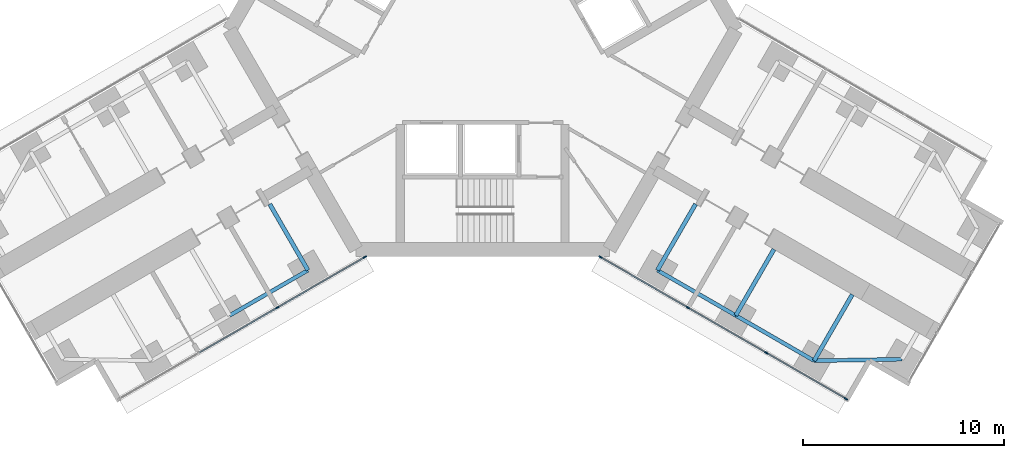
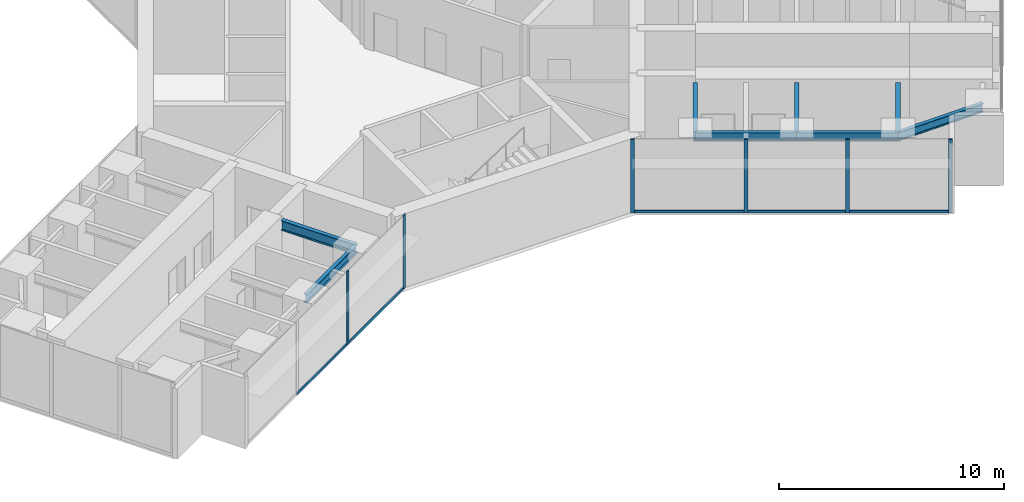
# One storey, part 9 of 22: 11 members, 8 beams, 2 elements without a shape of their own.
"""IFC4 building model written with IfcOpenShell, lengths in metres."""

from ifc_helpers import new_model, si_unit, direction, frame, origin, origin_2d, place, context, subcontext, project, spatial, rectangle, i_section, extrude, material, material_profile, profile_set, type_object, element, aggregate, save


model = new_model("IFC4")

# Units and contexts
model_context = context("Model", 3, precision=1e-05, world=origin(), true_north=direction((0.0, 1.0)))
body_context = subcontext(model_context, "Body", "Model", "MODEL_VIEW")
ifc_project = project(units=[si_unit("LENGTHUNIT", "METRE"), si_unit("AREAUNIT", "SQUARE_METRE"), si_unit("VOLUMEUNIT", "CUBIC_METRE"), si_unit("PLANEANGLEUNIT", "RADIAN"), si_unit("MASSUNIT", "GRAM", prefix="KILO")], contexts=[model_context])

# Site, building, storey
site_placement = place(None, origin())
site = spatial("IfcSite", under=ifc_project, at=site_placement, CompositionType="ELEMENT")
building_placement = place(site_placement, origin())
building = spatial("IfcBuilding", under=site, at=building_placement, Name="Upepo Twin Towers", CompositionType="ELEMENT")
storey_placement = place(building_placement, frame((0.0, 0.0, 40.5)))
storey = spatial("IfcBuildingStorey", under=building, at=storey_placement, Name="L09", CompositionType="ELEMENT", Elevation=40.5)

# Beams
ifc_material_1 = material(Name="Steel S355", Category="steel")
ifc_material_profile_1 = material_profile(ifc_material_1, i_section(OverallWidth=0.1904296875, OverallDepth=0.45703125, WebThickness=0.009033203125, FlangeThickness=0.014404296875, FilletRadius=0.01025390625, at=origin_2d()), Name="UB 457x191x74")
ifc_profile_set_1 = profile_set([ifc_material_profile_1], Name="Steel S355")
beam_type_1 = type_object("IfcBeamType", Name="Beam UB 457x191x74", PredefinedType="BEAM", material=ifc_profile_set_1)
for number, where, z_axis, x_axis, name in (
    (1, (49.80859375, -29.946044921875, 3.571533203125), (-0.866017533419, -0.500013631625, 0.0), (0.500013631625, -0.866017533419, 0.0), "T2 edge beam BL 13.5-18.0"),
    (2, (67.19140625, -29.946044921875, 3.571533203125), (0.866017533419, -0.500013631625, 0.0), (0.500013631625, 0.866017533419, 0.0), "T2 edge beam CR 13.5-18.0"),
):
    element("IfcBeam", number, at=place(storey_placement, frame(where, z_axis=z_axis, x_axis=x_axis)), inside=storey, type_object=beam_type_1, Name=name, PredefinedType="BEAM", context=body_context, shape_type="SweptSolid", body=[
        extrude(i_section(OverallWidth=0.1904296875, OverallDepth=0.45703125, WebThickness=0.009033203125, FlangeThickness=0.014404296875, FilletRadius=0.01025390625, at=origin_2d()), origin(), (0.0, 0.0, 1.0), 4.499755859375),
    ])
beam_1_placement = place(storey_placement, frame((71.08837890625, -32.196044921875, 3.571533203125), z_axis=(0.866031096941, -0.499990139034, 0.0), x_axis=(0.499990139034, 0.866031096941, 0.0)))
element("IfcBeam", 3, at=beam_1_placement, inside=storey, type_object=beam_type_1, Name="T2 edge beam CR 18.0-22.5", PredefinedType="BEAM", context=body_context, shape_type="SweptSolid", body=[
    extrude(i_section(OverallWidth=0.1904296875, OverallDepth=0.45703125, WebThickness=0.009033203125, FlangeThickness=0.014404296875, FilletRadius=0.01025390625, at=origin_2d()), origin(), (0.0, 0.0, 1.0), 4.5),
])
beam_2_placement = place(storey_placement, frame((74.985595703125, -34.446044921875, 3.571533203125), z_axis=(0.999858804832, 0.016803880528, 0.0), x_axis=(-0.016803880528, 0.999858804832, 0.0)))
element("IfcBeam", 4, at=beam_2_placement, inside=storey, type_object=beam_type_1, Name="T2 nose edge beam CR", PredefinedType="BEAM", context=body_context, shape_type="SweptSolid", body=[
    extrude(i_section(OverallWidth=0.1904296875, OverallDepth=0.45703125, WebThickness=0.009033203125, FlangeThickness=0.014404296875, FilletRadius=0.01025390625, at=origin_2d()), origin(), (0.0, 0.0, 1.0), 4.373291015625),
])
ifc_material_2 = material(Name="Steel S355", Category="steel")
ifc_material_profile_2 = material_profile(ifc_material_2, i_section(OverallWidth=0.209228515625, OverallDepth=0.533203125, WebThickness=0.010009765625, FlangeThickness=0.015625, FilletRadius=0.0126953125, at=origin_2d()), Name="UB 533x210x92")
ifc_profile_set_2 = profile_set([ifc_material_profile_2], Name="Steel S355")
beam_type_2 = type_object("IfcBeamType", Name="Beam UB 533x210x92", PredefinedType="BEAM", material=ifc_profile_set_2)
for number, where, z_axis, x_axis, name in (
    (5, (49.80859375, -29.946044921875, 3.533447265625), (-0.499994975061, 0.866028304915, 0.0), (-0.866028304915, -0.499994975061, 0.0), "T2 girder BL at 13.5"),
    (6, (67.19140625, -29.946044921875, 3.533447265625), (0.499994975061, 0.866028304915, 0.0), (-0.866028304915, 0.499994975061, 0.0), "T2 girder CR at 13.5"),
):
    element("IfcBeam", number, at=place(storey_placement, frame(where, z_axis=z_axis, x_axis=x_axis)), inside=storey, type_object=beam_type_2, Name=name, PredefinedType="BEAM", context=body_context, shape_type="SweptSolid", body=[
        extrude(i_section(OverallWidth=0.209228515625, OverallDepth=0.533203125, WebThickness=0.010009765625, FlangeThickness=0.015625, FilletRadius=0.0126953125, at=origin_2d()), origin(), (0.0, 0.0, 1.0), 3.7998046875),
    ])
beam_3_placement = place(storey_placement, frame((71.08837890625, -32.196044921875, 3.533447265625), z_axis=(0.500043160704, 0.866000483506, 0.0), x_axis=(-0.866000483506, 0.500043160704, 0.0)))
element("IfcBeam", 7, at=beam_3_placement, inside=storey, type_object=beam_type_2, Name="T2 girder CR at 18.0", PredefinedType="BEAM", context=body_context, shape_type="SweptSolid", body=[
    extrude(i_section(OverallWidth=0.209228515625, OverallDepth=0.533203125, WebThickness=0.010009765625, FlangeThickness=0.015625, FilletRadius=0.0126953125, at=origin_2d()), origin(), (0.0, 0.0, 1.0), 3.800048828125),
])
beam_4_placement = place(storey_placement, frame((74.985595703125, -34.446044921875, 3.533447265625), z_axis=(0.499994975061, 0.866028304915, 0.0), x_axis=(-0.866028304915, 0.499994975061, 0.0)))
element("IfcBeam", 8, at=beam_4_placement, inside=storey, type_object=beam_type_2, Name="T2 girder CR at 22.5", PredefinedType="BEAM", context=body_context, shape_type="SweptSolid", body=[
    extrude(i_section(OverallWidth=0.209228515625, OverallDepth=0.533203125, WebThickness=0.010009765625, FlangeThickness=0.015625, FilletRadius=0.0126953125, at=origin_2d()), origin(), (0.0, 0.0, 1.0), 3.7998046875),
])

# Curtain wall, members
ifc_material_3 = material(Name="Aluminium and fritted glass", Category="aluminium")
curtain_wall_type = type_object("IfcCurtainWallType", Name="Tower curtain wall TW1, fritted glass", PredefinedType="NOTDEFINED", material=ifc_material_3)
curtain_wall_1_placement = place(storey_placement, origin())
curtain_wall_1 = element("IfcCurtainWall", 9, at=curtain_wall_1_placement, inside=storey, type_object=curtain_wall_type, Name="T2 L09 wing B flank L curtain wall", PredefinedType="NOTDEFINED")
ifc_material_4 = material(Name="Aluminium mullion", Category="aluminium")
ifc_material_profile_3 = material_profile(ifc_material_4, rectangle(XDim=0.06494140625, YDim=0.179931640625, at=origin_2d()), Name="MULLION 65x180")
ifc_profile_set_3 = profile_set([ifc_material_profile_3], Name="Aluminium mullion")
member_type_1 = type_object("IfcMemberType", Name="Mullion 65x180 TW1", PredefinedType="MULLION", material=ifc_profile_set_3)
member_1_placement = place(storey_placement, frame((52.6416015625, -29.2919921875, 0.0), z_axis=(0.0, 0.0, 1.0), x_axis=(0.500000024426, -0.866025389682, 0.0)))
member_1 = element("IfcMember", 10, at=member_1_placement, type_object=member_type_1, Name="T2 L09 wing B flank L curtain wall mullion 1", PredefinedType="MULLION", context=body_context, shape_type="SweptSolid", body=[
    extrude(rectangle(XDim=0.06494140625, YDim=0.179931640625, at=origin_2d()), origin(), (0.0, 0.0, 1.0), 4.0),
])
member_2_placement = place(storey_placement, frame((48.28515625, -31.807373046875, 0.0), z_axis=(0.0, 0.0, 1.0), x_axis=(0.500000024426, -0.866025389682, 0.0)))
member_2 = element("IfcMember", 11, at=member_2_placement, type_object=member_type_1, Name="T2 L09 wing B flank L curtain wall mullion 2", PredefinedType="MULLION", context=body_context, shape_type="SweptSolid", body=[
    extrude(rectangle(XDim=0.06494140625, YDim=0.179931640625, at=origin_2d()), origin(), (0.0, 0.0, 1.0), 4.0),
])

curtain_wall_2_placement = place(storey_placement, origin())
curtain_wall_2 = element("IfcCurtainWall", 12, at=curtain_wall_2_placement, inside=storey, type_object=curtain_wall_type, Name="T2 L09 wing C flank R curtain wall", PredefinedType="NOTDEFINED")
member_3_placement = place(storey_placement, frame((76.567626953125, -36.341064453125, 0.0), z_axis=(0.0, 0.0, 1.0), x_axis=(-0.500000024426, -0.866025389682, 0.0)))
member_3 = element("IfcMember", 13, at=member_3_placement, type_object=member_type_1, Name="T2 L09 wing C flank R curtain wall mullion 1", PredefinedType="MULLION", context=body_context, shape_type="SweptSolid", body=[
    extrude(rectangle(XDim=0.06494140625, YDim=0.179931640625, at=origin_2d()), origin(), (0.0, 0.0, 1.0), 4.0),
])
member_4_placement = place(storey_placement, frame((72.612060546875, -34.057373046875, 0.0), z_axis=(0.0, 0.0, 1.0), x_axis=(-0.500000024426, -0.866025389682, 0.0)))
member_4 = element("IfcMember", 14, at=member_4_placement, type_object=member_type_1, Name="T2 L09 wing C flank R curtain wall mullion 2", PredefinedType="MULLION", context=body_context, shape_type="SweptSolid", body=[
    extrude(rectangle(XDim=0.06494140625, YDim=0.179931640625, at=origin_2d()), origin(), (0.0, 0.0, 1.0), 4.0),
])
member_5_placement = place(storey_placement, frame((68.71484375, -31.807373046875, 0.0), z_axis=(0.0, 0.0, 1.0), x_axis=(-0.500000024426, -0.866025389682, 0.0)))
member_5 = element("IfcMember", 15, at=member_5_placement, type_object=member_type_1, Name="T2 L09 wing C flank R curtain wall mullion 3", PredefinedType="MULLION", context=body_context, shape_type="SweptSolid", body=[
    extrude(rectangle(XDim=0.06494140625, YDim=0.179931640625, at=origin_2d()), origin(), (0.0, 0.0, 1.0), 4.0),
])
member_6_placement = place(storey_placement, frame((64.3583984375, -29.2919921875, 0.0), z_axis=(0.0, 0.0, 1.0), x_axis=(-0.500000024426, -0.866025389682, 0.0)))
member_6 = element("IfcMember", 16, at=member_6_placement, type_object=member_type_1, Name="T2 L09 wing C flank R curtain wall mullion 4", PredefinedType="MULLION", context=body_context, shape_type="SweptSolid", body=[
    extrude(rectangle(XDim=0.06494140625, YDim=0.179931640625, at=origin_2d()), origin(), (0.0, 0.0, 1.0), 4.0),
])

# Member
ifc_material_5 = material(Name="Aluminium transom", Category="aluminium")
ifc_material_profile_4 = material_profile(ifc_material_5, rectangle(XDim=0.06494140625, YDim=0.14990234375, at=origin_2d()), Name="TRANSOM 65x150")
ifc_profile_set_4 = profile_set([ifc_material_profile_4], Name="Aluminium transom")
member_type_2 = type_object("IfcMemberType", Name="Transom 65x150 TW1", PredefinedType="USERDEFINED", material=ifc_profile_set_4)
member_7_placement = place(storey_placement, frame((52.61328125, -29.308349609375, 0.074951171875), z_axis=(-0.866022642139, -0.50000478328, 0.0), x_axis=(0.50000478328, -0.866022642139, 0.0)))
member_7 = element("IfcMember", 17, at=member_7_placement, type_object=member_type_2, Name="T2 L09 wing B flank L curtain wall transom 1", ObjectType="TRANSOM", PredefinedType="USERDEFINED", context=body_context, shape_type="SweptSolid", body=[
    extrude(rectangle(XDim=0.06494140625, YDim=0.14990234375, at=origin_2d()), origin(), (0.0, 0.0, 1.0), 4.96533203125),
])

member_8_placement = place(storey_placement, frame((48.2568359375, -31.823486328125, 0.074951171875), z_axis=(-0.866022410713, -0.500005184116, 0.0), x_axis=(0.500005184116, -0.866022410713, 0.0)))
member_8 = element("IfcMember", 18, at=member_8_placement, type_object=member_type_2, Name="T2 L09 wing B flank L curtain wall transom 2", ObjectType="TRANSOM", PredefinedType="USERDEFINED", context=body_context, shape_type="SweptSolid", body=[
    extrude(rectangle(XDim=0.06494140625, YDim=0.14990234375, at=origin_2d()), origin(), (0.0, 0.0, 1.0), 4.43505859375),
])

aggregate(curtain_wall_1, [member_1, member_2, member_7, member_8])

member_9_placement = place(storey_placement, frame((76.53955078125, -36.32470703125, 0.074951171875), z_axis=(-0.866035699072, 0.499982167615, 0.0), x_axis=(-0.499982167615, -0.866035699072, 0.0)))
member_9 = element("IfcMember", 19, at=member_9_placement, type_object=member_type_2, Name="T2 L09 wing C flank R curtain wall transom 1", ObjectType="TRANSOM", PredefinedType="USERDEFINED", context=body_context, shape_type="SweptSolid", body=[
    extrude(rectangle(XDim=0.06494140625, YDim=0.14990234375, at=origin_2d()), origin(), (0.0, 0.0, 1.0), 4.502685546875),
])

member_10_placement = place(storey_placement, frame((72.583984375, -34.041015625, 0.074951171875), z_axis=(-0.866022410713, 0.500005184116, 0.0), x_axis=(-0.500005184116, -0.866022410713, 0.0)))
member_10 = element("IfcMember", 20, at=member_10_placement, type_object=member_type_2, Name="T2 L09 wing C flank R curtain wall transom 2", ObjectType="TRANSOM", PredefinedType="USERDEFINED", context=body_context, shape_type="SweptSolid", body=[
    extrude(rectangle(XDim=0.06494140625, YDim=0.14990234375, at=origin_2d()), origin(), (0.0, 0.0, 1.0), 4.43505859375),
])

member_11_placement = place(storey_placement, frame((68.686767578125, -31.791015625, 0.074951171875), z_axis=(-0.866022642139, 0.50000478328, 0.0), x_axis=(-0.50000478328, -0.866022642139, 0.0)))
member_11 = element("IfcMember", 21, at=member_11_placement, type_object=member_type_2, Name="T2 L09 wing C flank R curtain wall transom 3", ObjectType="TRANSOM", PredefinedType="USERDEFINED", context=body_context, shape_type="SweptSolid", body=[
    extrude(rectangle(XDim=0.06494140625, YDim=0.14990234375, at=origin_2d()), origin(), (0.0, 0.0, 1.0), 4.96533203125),
])

aggregate(curtain_wall_2, [member_3, member_4, member_5, member_6, member_9, member_10, member_11])

save(model, "model.ifc")
